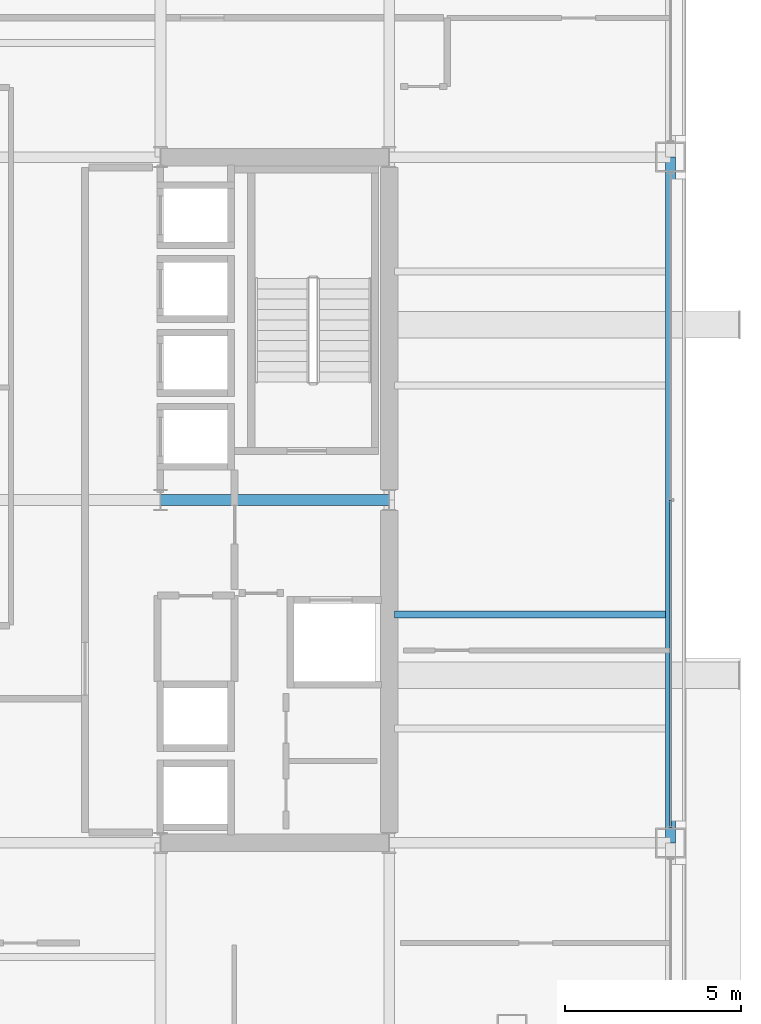
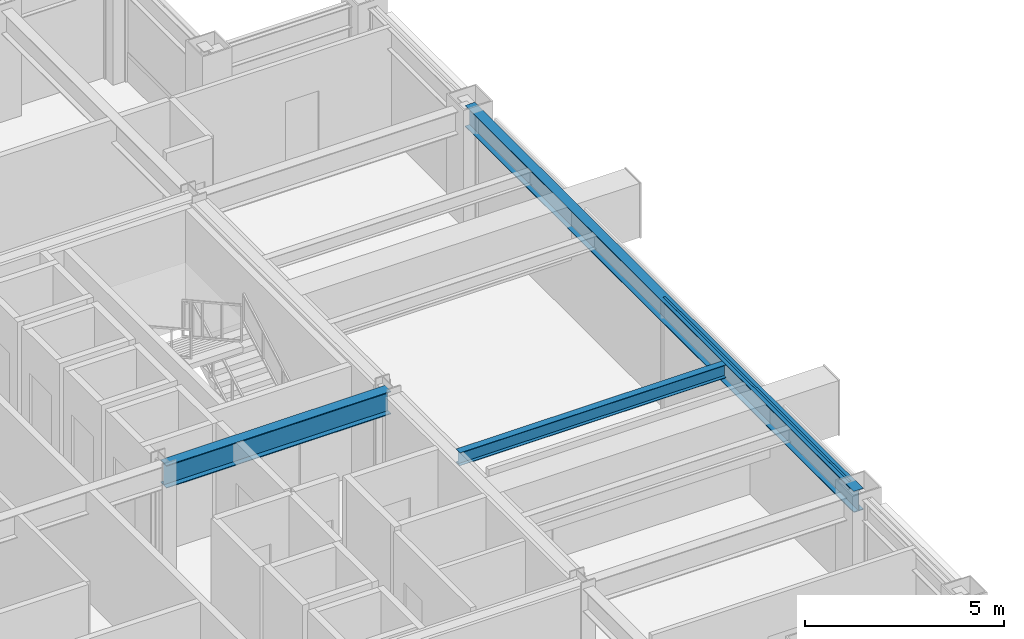
# One storey, part 17 of 34: 3 beams, 1 member, 1 element without a shape of its own.
"""IFC4 building model written with IfcOpenShell, lengths in metres."""

import ifcopenshell
import ifcopenshell.guid

model = None  # the IFC model being written
_history = None  # IfcOwnerHistory: only IFC2X3 demands one
_inside = {}  # id of a spatial element -> (the spatial element, [elements in it])
_under = {}  # id of a project, library or spatial element -> (it, [spatial elements below it])
_declared = {}  # id of a project -> (the project, [libraries it declares])
_typed = {}  # id of a type object -> (the type object, [elements of that type])
_made_of = {}  # id of a material, layer set ... -> (it, [elements and type objects made of it])


def new_model(schema):
    """Start an empty IFC model of exactly this schema.

    Asked for "IFC4X3", IfcOpenShell would pick the latest addendum, in which some entities
    have other attributes; the version numbers below select the first issue.
    IFC2X3 requires an IfcOwnerHistory on every rooted entity: one is made here for all.
    """
    global model, _history
    if schema == "IFC4X3":
        model = ifcopenshell.file(schema_version=(4, 3, 0, 0))
    else:
        model = ifcopenshell.file(schema=schema)
    _inside.clear()
    _under.clear()
    _declared.clear()
    _typed.clear()
    _made_of.clear()
    _history = None
    if model.schema == "IFC2X3":
        org = make("IfcOrganization", Name="unknown")
        user = make(
            "IfcPersonAndOrganization",
            ThePerson=make("IfcPerson", FamilyName="unknown"),
            TheOrganization=org,
        )
        app = make(
            "IfcApplication",
            ApplicationDeveloper=org,
            Version="unknown",
            ApplicationFullName="unknown",
            ApplicationIdentifier="unknown",
        )
        _history = make(
            "IfcOwnerHistory",
            OwningUser=user,
            OwningApplication=app,
            ChangeAction="ADDED",
            CreationDate=0,
        )
    return model


def make(cls, **values):
    """One entity of the class cls with the attributes given. An attribute that is None is left unset."""
    return model.create_entity(
        cls, **{name: value for name, value in values.items() if value is not None}
    )


def rooted(cls, **values):
    """An entity with a GlobalId (a new one), such as an element, a storey or a relation."""
    return make(cls, GlobalId=ifcopenshell.guid.new(), OwnerHistory=_history, **values)


def si_unit(unit_type, name, prefix=None):
    """IfcSIUnit, for example si_unit("LENGTHUNIT", "METRE", prefix="MILLI")."""
    return make("IfcSIUnit", UnitType=unit_type, Prefix=prefix, Name=name)


def assignment(units):
    """IfcUnitAssignment: the units of a project."""
    return None if units is None else make("IfcUnitAssignment", Units=units)


def point(xyz):
    """IfcCartesianPoint."""
    return None if xyz is None else make("IfcCartesianPoint", Coordinates=xyz)


def direction(xyz):
    """IfcDirection."""
    return None if xyz is None else make("IfcDirection", DirectionRatios=xyz)


def frame(location, z_axis=None, x_axis=None):
    """IfcAxis2Placement3D, a coordinate frame: its origin and axes. An axis left out is left unset."""
    return make(
        "IfcAxis2Placement3D",
        Location=point(location),
        Axis=direction(z_axis),
        RefDirection=direction(x_axis),
    )


def frame_2d(location, x_axis=None):
    """IfcAxis2Placement2D, a coordinate frame in the plane: its origin and x axis."""
    return make(
        "IfcAxis2Placement2D", Location=point(location), RefDirection=direction(x_axis)
    )


def origin():
    """The frame at (0, 0, 0) with its axes left unset."""
    return frame((0.0, 0.0, 0.0))


def origin_2d():
    """The frame at (0, 0) in the plane with its x axis left unset."""
    return frame_2d((0.0, 0.0))


def place(relative_to, where):
    """IfcLocalPlacement: puts the frame where relative to a parent placement (None: the world)."""
    return make(
        "IfcLocalPlacement", PlacementRelTo=relative_to, RelativePlacement=where
    )


def context(
    kind, dimensions, precision=None, world=None, true_north=None, identifier=None
):
    """IfcGeometricRepresentationContext, for example the 3D "Model" context."""
    return make(
        "IfcGeometricRepresentationContext",
        ContextIdentifier=identifier,
        ContextType=kind,
        CoordinateSpaceDimension=dimensions,
        Precision=precision,
        WorldCoordinateSystem=world,
        TrueNorth=true_north,
    )


def subcontext(parent, identifier, kind, view, scale=None):
    """IfcGeometricRepresentationSubContext, for example "Body" below "Model"."""
    return make(
        "IfcGeometricRepresentationSubContext",
        ContextIdentifier=identifier,
        ContextType=kind,
        ParentContext=parent,
        TargetScale=scale,
        TargetView=view,
    )


def project(units=None, contexts=None):
    """IfcProject with its units and contexts."""
    return rooted(
        "IfcProject",
        Name="project",
        RepresentationContexts=contexts,
        UnitsInContext=assignment(units),
    )


def spatial(cls, under=None, at=None, **own):
    """A site, building, storey or space (cls), placed at a placement, below another one or the project."""
    s = rooted(cls, ObjectPlacement=at, **own)
    if under is not None:
        _under.setdefault(under.id(), (under, []))[1].append(s)
    return s


def profile(cls, at=None, kind="AREA", **sizes):
    """A parametric profile (cls). Its sizes go by their IFC names, for example OverallWidth=200.0."""
    return make(cls, ProfileType=kind, Position=at, **sizes)


def hollow_rectangle(**sizes):
    """IfcRectangleHollowProfileDef."""
    return profile("IfcRectangleHollowProfileDef", **sizes)


def i_section(**sizes):
    """IfcIShapeProfileDef."""
    return profile("IfcIShapeProfileDef", **sizes)


def extrude(swept, where, along, depth):
    """IfcExtrudedAreaSolid: the profile swept, set in the frame where, extruded along a direction by depth."""
    return make(
        "IfcExtrudedAreaSolid",
        SweptArea=swept,
        Position=where,
        ExtrudedDirection=direction(along),
        Depth=depth,
    )


def shape(context_of_items, identifier, shape_type, items):
    """IfcShapeRepresentation: the items that make up one representation, for example the "Body"."""
    return make(
        "IfcShapeRepresentation",
        ContextOfItems=context_of_items,
        RepresentationIdentifier=identifier,
        RepresentationType=shape_type,
        Items=items,
    )


def material(Name=None, Category=None):
    """IfcMaterial."""
    return make("IfcMaterial", Name=Name, Category=Category)


def layer(
    of_material, thickness, ventilated=None, Name=None, Category=None, Priority=None
):
    """IfcMaterialLayer: one layer of a wall or slab, of a material (None: an air gap)."""
    return make(
        "IfcMaterialLayer",
        Material=of_material,
        LayerThickness=thickness,
        IsVentilated=ventilated,
        Name=Name,
        Category=Category,
        Priority=Priority,
    )


def layer_set(layers, Name=None):
    """IfcMaterialLayerSet."""
    return make("IfcMaterialLayerSet", MaterialLayers=layers, LayerSetName=Name)


def material_profile(
    of_material, cross_section, Name=None, Category=None, Priority=None
):
    """IfcMaterialProfile: a cross section and its material."""
    return make(
        "IfcMaterialProfile",
        Name=Name,
        Material=of_material,
        Profile=cross_section,
        Priority=Priority,
        Category=Category,
    )


def profile_set(profiles, Name=None, composite=None):
    """IfcMaterialProfileSet."""
    return make(
        "IfcMaterialProfileSet",
        Name=Name,
        MaterialProfiles=profiles,
        CompositeProfile=composite,
    )


def made_of(thing, what):
    """Note that an element or type object is made of a material, layer set ...; save() writes the relation."""
    if what is not None:
        _made_of.setdefault(what.id(), (what, []))[1].append(thing)
    return thing


def type_object(cls, material=None, **own):
    """A type object (cls), such as IfcWallType, which elements share."""
    return made_of(rooted(cls, **own), material)


def element(
    cls,
    number,
    at=None,
    inside=None,
    cuts=None,
    type_object=None,
    material=None,
    context=None,
    identifier="Body",
    shape_type=None,
    held_by="IfcProductDefinitionShape",
    body=None,
    shapes=None,
    **own,
):
    """One element of the class cls, such as IfcWall. Its Tag is "e" and its number.

    at: its placement. inside: the storey or other place that contains it. cuts: it is an
    opening in that element (IfcRelVoidsElement). A single representation is given by context,
    identifier, shape_type and body (its items); several are given by shapes. held_by: the class
    of the entity that holds the representations. save() writes the other relations.
    """
    e = rooted(cls, Tag="e%d" % number, ObjectPlacement=at, **own)
    if body is not None:
        shapes = [shape(context, identifier, shape_type, body)]
    if shapes is not None:
        e.Representation = make(held_by, Representations=shapes)
    if inside is not None:
        _inside.setdefault(inside.id(), (inside, []))[1].append(e)
    if cuts is not None:
        rooted(
            "IfcRelVoidsElement", RelatingBuildingElement=cuts, RelatedOpeningElement=e
        )
    if type_object is not None:
        _typed.setdefault(type_object.id(), (type_object, []))[1].append(e)
    return made_of(e, material)


def aggregate(whole, parts):
    """IfcRelAggregates: a whole, such as a stair, and the parts it consists of."""
    return rooted("IfcRelAggregates", RelatingObject=whole, RelatedObjects=parts)


def save(model, path):
    """Write the relations noted so far, then the file.

    IfcRelAggregates (storeys below a building ...), IfcRelContainedInSpatialStructure (elements
    in a storey), IfcRelDefinesByType, IfcRelAssociatesMaterial and IfcRelDeclares: one each for
    every whole, place, type object, material and project.
    """
    for whole, parts in _under.values():
        aggregate(whole, parts)
    for where, things in _inside.values():
        rooted(
            "IfcRelContainedInSpatialStructure",
            RelatedElements=things,
            RelatingStructure=where,
        )
    for kind, things in _typed.values():
        rooted("IfcRelDefinesByType", RelatedObjects=things, RelatingType=kind)
    for what, things in _made_of.values():
        rooted("IfcRelAssociatesMaterial", RelatedObjects=things, RelatingMaterial=what)
    for by, libraries in _declared.values():
        rooted("IfcRelDeclares", RelatingContext=by, RelatedDefinitions=libraries)
    model.write(path)


model = new_model("IFC4")

# Units and contexts
model_context = context("Model", 3, precision=1e-05, world=origin(), true_north=direction((0.0, 1.0)))
body_context = subcontext(model_context, "Body", "Model", "MODEL_VIEW")
ifc_project = project(units=[si_unit("LENGTHUNIT", "METRE"), si_unit("AREAUNIT", "SQUARE_METRE"), si_unit("VOLUMEUNIT", "CUBIC_METRE"), si_unit("PLANEANGLEUNIT", "RADIAN"), si_unit("MASSUNIT", "GRAM", prefix="KILO")], contexts=[model_context])

# Site, building, storey
site_placement = place(None, origin())
site = spatial("IfcSite", under=ifc_project, at=site_placement, CompositionType="ELEMENT")
building_placement = place(site_placement, origin())
building = spatial("IfcBuilding", under=site, at=building_placement, Name="Brelmoor Portico Tower", CompositionType="ELEMENT")
storey_placement = place(building_placement, frame((0.0, 0.0, 117.0)))
storey = spatial("IfcBuildingStorey", under=building, at=storey_placement, Name="L30", CompositionType="ELEMENT", Elevation=117.0)

# Beams
ifc_material_1 = material(Name="Steel Q355B", Category="steel")
ifc_material_profile_1 = material_profile(ifc_material_1, i_section(OverallWidth=0.199951171875, OverallDepth=0.39990234375, WebThickness=0.008056640625, FlangeThickness=0.012939453125, at=origin_2d()), Name="HN 400x200x8x13")
ifc_profile_set_1 = profile_set([ifc_material_profile_1], Name="Steel Q355B")
beam_type_1 = type_object("IfcBeamType", Name="BM-JS-400", PredefinedType="JOIST", material=ifc_profile_set_1)
beam_1_placement = place(storey_placement, frame((14.699951171875, -3.25, 3.199951171875), z_axis=(1.0, 0.0, 0.0), x_axis=(0.0, 1.0, 0.0)))
element("IfcBeam", 1, at=beam_1_placement, inside=storey, type_object=beam_type_1, Name="L30 Secondary Wing Joist JS-E10", PredefinedType="JOIST", context=body_context, shape_type="SweptSolid", body=[
    extrude(i_section(OverallWidth=0.199951171875, OverallDepth=0.39990234375, WebThickness=0.008056640625, FlangeThickness=0.012939453125, at=origin_2d()), origin(), (0.0, 0.0, 1.0), 7.7099609375),
])
ifc_material_profile_2 = material_profile(ifc_material_1, i_section(OverallWidth=0.300048828125, OverallDepth=0.699951171875, WebThickness=0.012939453125, FlangeThickness=0.02392578125, at=origin_2d()), Name="HN 700x300x13x24")
ifc_profile_set_2 = profile_set([ifc_material_profile_2], Name="Steel Q355B")
beam_type_2 = type_object("IfcBeamType", Name="BM-PG-700", PredefinedType="BEAM", material=ifc_profile_set_2)
beam_2_placement = place(storey_placement, frame((8.050048828125, 0.0, 3.050048828125), z_axis=(1.0, 0.0, 0.0), x_axis=(0.0, 1.0, 0.0)))
element("IfcBeam", 2, at=beam_2_placement, inside=storey, type_object=beam_type_2, Name="L30 Primary Floor Girder PG-21", PredefinedType="BEAM", context=body_context, shape_type="SweptSolid", body=[
    extrude(i_section(OverallWidth=0.300048828125, OverallDepth=0.699951171875, WebThickness=0.012939453125, FlangeThickness=0.02392578125, at=origin_2d()), origin(), (0.0, 0.0, 1.0), 6.5),
])
ifc_material_profile_3 = material_profile(ifc_material_1, i_section(OverallWidth=0.280029296875, OverallDepth=0.64990234375, WebThickness=0.012939453125, FlangeThickness=0.02197265625, at=origin_2d()), Name="HN 650x280x13x22")
ifc_profile_set_3 = profile_set([ifc_material_profile_3], Name="Steel Q355B")
beam_type_3 = type_object("IfcBeamType", Name="BM-SP-650", PredefinedType="SPANDREL", material=ifc_profile_set_3)
beam_3_placement = place(storey_placement, frame((22.550048828125, -9.75, 3.074951171875), z_axis=(0.0, 1.0, 0.0), x_axis=(-1.0, 0.0, 0.0)))
element("IfcBeam", 3, at=beam_3_placement, inside=storey, type_object=beam_type_3, Name="L30 Perimeter Spandrel Beam SP-23", PredefinedType="SPANDREL", context=body_context, shape_type="SweptSolid", body=[
    extrude(i_section(OverallWidth=0.280029296875, OverallDepth=0.64990234375, WebThickness=0.012939453125, FlangeThickness=0.02197265625, at=origin_2d()), origin(), (0.0, 0.0, 1.0), 19.5),
])

# Curtain wall, member
ifc_material_2 = material(Name="Anodised Aluminium Alloy 6063-T6", Category="aluminium")
ifc_layer = layer(ifc_material_2, 0.179931640625)
ifc_layer_set = layer_set([ifc_layer], Name="Anodised Aluminium Alloy 6063-T6")
curtain_wall_type = type_object("IfcCurtainWallType", Name="CW-TOWER-Z2-XB", PredefinedType="NOTDEFINED", material=ifc_layer_set)
curtain_wall_placement = place(storey_placement, origin())
curtain_wall = element("IfcCurtainWall", 4, at=curtain_wall_placement, inside=storey, type_object=curtain_wall_type, Name="L30 Curtain Wall CW-L30-04-2", PredefinedType="NOTDEFINED")
ifc_material_profile_4 = material_profile(ifc_material_2, hollow_rectangle(XDim=0.06494140625, YDim=0.139892578125, WallThickness=0.00390625, at=origin_2d()), Name="ALU TRANSOM 65x140")
ifc_profile_set_4 = profile_set([ifc_material_profile_4], Name="Anodised Aluminium Alloy 6063-T6")
member_type = type_object("IfcMemberType", Name="MB-CW-TRAN-140", PredefinedType="USERDEFINED", material=ifc_profile_set_4)
member_placement = place(storey_placement, frame((22.550048828125, -9.31494140625, 3.330078125), z_axis=(0.0, 1.0, 0.0), x_axis=(-1.0, 0.0, 0.0)))
member = element("IfcMember", 5, at=member_placement, type_object=member_type, Name="CW-L30-04-2 Transom 1-00", ObjectType="TRANSOM", PredefinedType="USERDEFINED", context=body_context, shape_type="SweptSolid", body=[
    extrude(hollow_rectangle(XDim=0.06494140625, YDim=0.139892578125, WallThickness=0.00390625, at=origin_2d()), origin(), (0.0, 0.0, 1.0), 9.31494140625),
])
aggregate(curtain_wall, [member])

save(model, "model.ifc")
